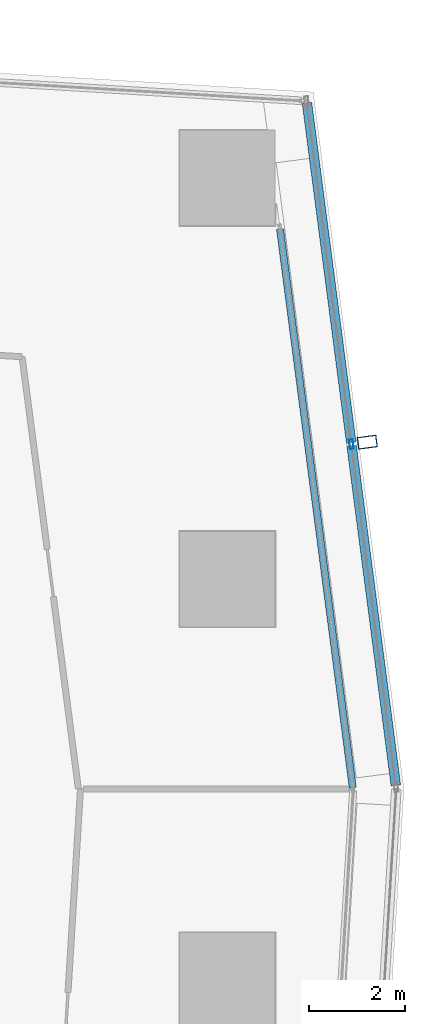
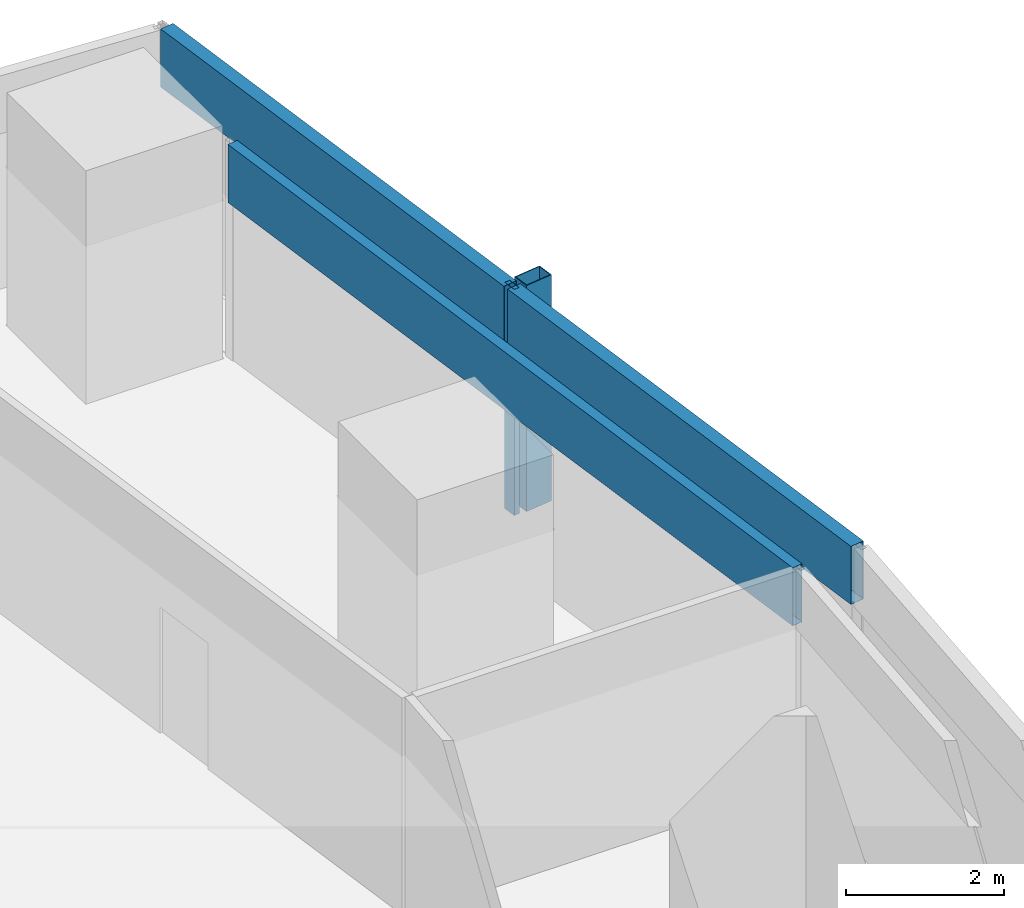
# One storey, part 26 of 39: 5 members, 2 elements without a shape of their own.
"""IFC4 building model written with IfcOpenShell, lengths in metres."""

from ifc_helpers import new_model, si_unit, direction, frame, origin, origin_2d, place, context, subcontext, project, spatial, hollow_rectangle, extrude, material, material_profile, profile_set, type_object, element, aggregate, save


model = new_model("IFC4")

# Units and contexts
model_context = context("Model", 3, precision=1e-05, world=origin(), true_north=direction((0.0, 1.0)))
body_context = subcontext(model_context, "Body", "Model", "MODEL_VIEW")
ifc_project = project(units=[si_unit("LENGTHUNIT", "METRE"), si_unit("AREAUNIT", "SQUARE_METRE"), si_unit("VOLUMEUNIT", "CUBIC_METRE"), si_unit("PLANEANGLEUNIT", "RADIAN"), si_unit("MASSUNIT", "GRAM", prefix="KILO")], contexts=[model_context])

# Site, building, storey
site_placement = place(None, origin())
site = spatial("IfcSite", under=ifc_project, at=site_placement, CompositionType="ELEMENT")
building_placement = place(site_placement, origin())
building = spatial("IfcBuilding", under=site, at=building_placement, Name="Rekha Terrace Tower", CompositionType="ELEMENT")
storey_placement = place(building_placement, frame((0.0, 0.0, 147.800048828125)))
storey = spatial("IfcBuildingStorey", under=building, at=storey_placement, Name="L37", CompositionType="ELEMENT", Elevation=147.800048828125)

# Curtain wall, member
ifc_material_1 = material(Name="Aluminium framing", Category="aluminium")
curtain_wall_type_1 = type_object("IfcCurtainWallType", Name="CW2 double skin outer glazing", PredefinedType="USERDEFINED", material=ifc_material_1)
curtain_wall_1_placement = place(storey_placement, origin())
curtain_wall_1 = element("IfcCurtainWall", 1, at=curtain_wall_1_placement, inside=storey, type_object=curtain_wall_type_1, Name="CW2 double skin outer glazing", ObjectType="DOUBLE SKIN OUTER GLAZING", PredefinedType="USERDEFINED")
ifc_material_2 = material(Name="Steel S355 with fluorocarbon finish", Category="steel")
ifc_material_profile_1 = material_profile(ifc_material_2, hollow_rectangle(XDim=0.25, YDim=0.39990234375, WallThickness=0.012451171875, at=origin_2d()), Name="RHS400x250x12.5")
ifc_profile_set_1 = profile_set([ifc_material_profile_1], Name="Steel S355 with fluorocarbon finish")
member_type_1 = type_object("IfcMemberType", Name="BL1 facade blade RHS 400 x 250", PredefinedType="USERDEFINED", material=ifc_profile_set_1)
member_1_placement = place(storey_placement, frame((70.131103515625, 53.2685546875, 0.0), z_axis=(0.0, 0.0, 1.0), x_axis=(-0.129119247945, 0.991629073702, 0.0)))
member_1 = element("IfcMember", 2, at=member_1_placement, type_object=member_type_1, Name="Facade blade", ObjectType="FACADE BLADE", PredefinedType="USERDEFINED", context=body_context, shape_type="SweptSolid", body=[
    extrude(hollow_rectangle(XDim=0.25, YDim=0.39990234375, WallThickness=0.012451171875, at=origin_2d()), origin(), (0.0, 0.0, 1.0), 3.5),
])

curtain_wall_type_2 = type_object("IfcCurtainWallType", Name="CW1 double skin inner glazing", PredefinedType="USERDEFINED", material=ifc_material_1)
curtain_wall_2_placement = place(storey_placement, origin())
curtain_wall_2 = element("IfcCurtainWall", 3, at=curtain_wall_2_placement, inside=storey, type_object=curtain_wall_type_2, Name="CW1 double skin inner glazing", ObjectType="DOUBLE SKIN INNER GLAZING", PredefinedType="USERDEFINED")
ifc_material_3 = material(Name="Insulated aluminium spandrel box", Category="aluminium")
ifc_material_profile_2 = material_profile(ifc_material_3, hollow_rectangle(XDim=0.14990234375, YDim=0.89990234375, WallThickness=0.0029296875, at=origin_2d()), Name="AL SPANDREL BOX 150x900")
ifc_profile_set_2 = profile_set([ifc_material_profile_2], Name="Insulated aluminium spandrel box")
member_type_2 = type_object("IfcMemberType", Name="CW1 spandrel transom 150 x 900", PredefinedType="USERDEFINED", material=ifc_profile_set_2)
member_2_placement = place(storey_placement, frame((69.827392578125, 46.0361328125, 3.050048828125), z_axis=(-0.129124958583, 0.991628330107, 0.0), x_axis=(-0.991628330107, -0.129124958583, 0.0)))
member_2 = element("IfcMember", 4, at=member_2_placement, type_object=member_type_2, Name="CW1 spandrel transom 1", ObjectType="TRANSOM", PredefinedType="USERDEFINED", context=body_context, shape_type="SweptSolid", body=[
    extrude(hollow_rectangle(XDim=0.14990234375, YDim=0.89990234375, WallThickness=0.0029296875, at=origin_2d()), origin(), (0.0, 0.0, 1.0), 11.79052734375),
])
aggregate(curtain_wall_2, [member_2])

# Member
ifc_material_4 = material(Name="Aluminium mullion section", Category="aluminium")
ifc_material_profile_3 = material_profile(ifc_material_4, hollow_rectangle(XDim=0.080078125, YDim=0.199951171875, WallThickness=0.00390625, at=origin_2d()), Name="AL RHS 80x200")
ifc_profile_set_3 = profile_set([ifc_material_profile_3], Name="Aluminium mullion section")
member_type_3 = type_object("IfcMemberType", Name="CW2 mullion RHS 80 x 200", PredefinedType="MULLION", material=ifc_profile_set_3)
member_3_placement = place(storey_placement, frame((69.798828125, 53.225341796875, 0.0), z_axis=(0.0, 0.0, 1.0), x_axis=(-0.991629186244, -0.129118383623, 0.0)))
member_3 = element("IfcMember", 5, at=member_3_placement, type_object=member_type_3, Name="CW2 mullion 2", PredefinedType="MULLION", context=body_context, shape_type="SweptSolid", body=[
    extrude(hollow_rectangle(XDim=0.080078125, YDim=0.199951171875, WallThickness=0.00390625, at=origin_2d()), origin(), (0.0, 0.0, 1.0), 3.5),
])

ifc_material_profile_4 = material_profile(ifc_material_3, hollow_rectangle(XDim=0.199951171875, YDim=0.89990234375, WallThickness=0.0029296875, at=origin_2d()), Name="AL SPANDREL BOX 200x900")
ifc_profile_set_4 = profile_set([ifc_material_profile_4], Name="Insulated aluminium spandrel box")
member_type_4 = type_object("IfcMemberType", Name="CW2 spandrel transom 200 x 900", PredefinedType="USERDEFINED", material=ifc_profile_set_4)
member_4_placement = place(storey_placement, frame((70.72900390625, 46.081787109375, 3.050048828125), z_axis=(-0.129125015962, 0.991628322635, 0.0), x_axis=(-0.991628322635, -0.129125015962, 0.0)))
member_4 = element("IfcMember", 6, at=member_4_placement, type_object=member_type_4, Name="CW2 spandrel transom 1", ObjectType="TRANSOM", PredefinedType="USERDEFINED", context=body_context, shape_type="SweptSolid", body=[
    extrude(hollow_rectangle(XDim=0.199951171875, YDim=0.89990234375, WallThickness=0.0029296875, at=origin_2d()), origin(), (0.0, 0.0, 1.0), 7.1640625),
])

member_5_placement = place(storey_placement, frame((69.793701171875, 53.26513671875, 3.050048828125), z_axis=(-0.12912937971, 0.9916277544, 0.0), x_axis=(-0.9916277544, -0.12912937971, 0.0)))
member_5 = element("IfcMember", 7, at=member_5_placement, type_object=member_type_4, Name="CW2 spandrel transom 2", ObjectType="TRANSOM", PredefinedType="USERDEFINED", context=body_context, shape_type="SweptSolid", body=[
    extrude(hollow_rectangle(XDim=0.199951171875, YDim=0.89990234375, WallThickness=0.0029296875, at=origin_2d()), origin(), (0.0, 0.0, 1.0), 7.163818359375),
])

aggregate(curtain_wall_1, [member_3, member_4, member_5, member_1])

save(model, "model.ifc")
